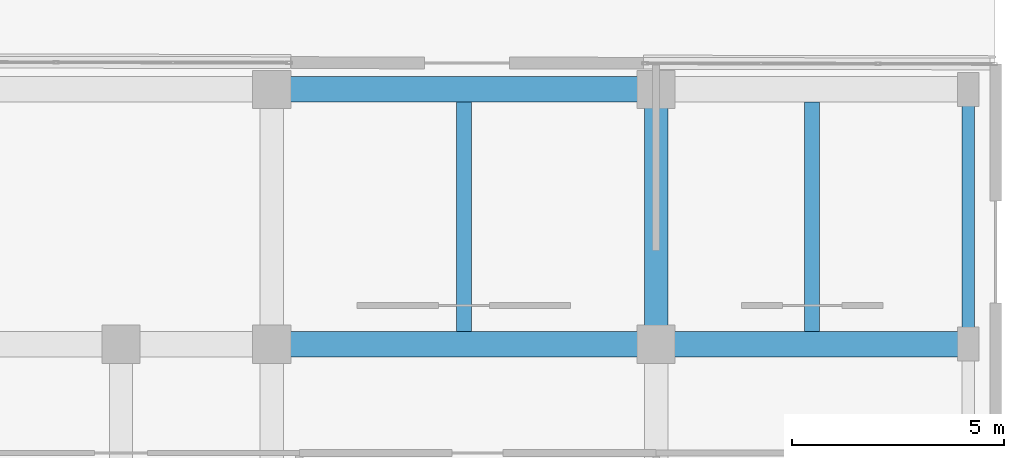
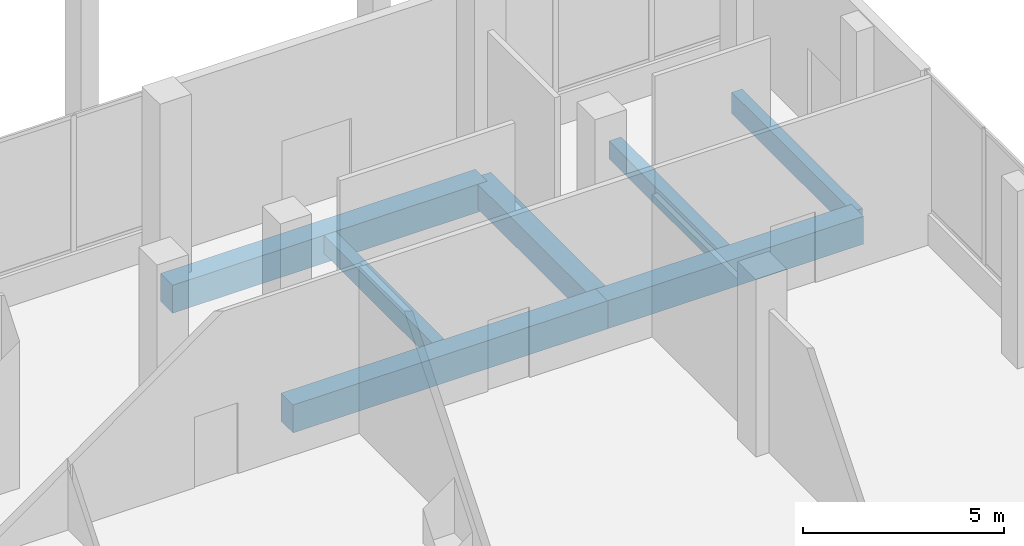
# One storey, part 117 of 158: 7 beams.
"""IFC4 building model written with IfcOpenShell, lengths in metres."""

from ifc_helpers import new_model, si_unit, direction, frame, origin, origin_2d, place, context, subcontext, project, spatial, rectangle, extrude, material, material_profile, profile_set, type_object, element, save


model = new_model("IFC4")

# Units and contexts
model_context = context("Model", 3, precision=1e-05, world=origin(), true_north=direction((0.0, 1.0)))
body_context = subcontext(model_context, "Body", "Model", "MODEL_VIEW")
ifc_project = project(units=[si_unit("LENGTHUNIT", "METRE"), si_unit("AREAUNIT", "SQUARE_METRE"), si_unit("VOLUMEUNIT", "CUBIC_METRE"), si_unit("PLANEANGLEUNIT", "RADIAN"), si_unit("MASSUNIT", "GRAM", prefix="KILO")], contexts=[model_context])

# Site, building, storey
site_placement = place(None, origin())
site = spatial("IfcSite", under=ifc_project, at=site_placement, CompositionType="ELEMENT")
building_placement = place(site_placement, origin())
building = spatial("IfcBuilding", under=site, at=building_placement, Name="Selatvlak General Hospital", CompositionType="ELEMENT")
storey_placement = place(building_placement, origin())
storey = spatial("IfcBuildingStorey", under=building, at=storey_placement, Name="L00", CompositionType="ELEMENT", Elevation=0.0)

# Beams
ifc_material = material(Name="Concrete C40/50", Category="concrete")
ifc_material_profile_1 = material_profile(ifc_material, rectangle(XDim=0.60009765625, YDim=0.85009765625, at=origin_2d()), Name="RC-BM 600x850")
ifc_profile_set_1 = profile_set([ifc_material_profile_1], Name="Concrete C40/50")
beam_type_1 = type_object("IfcBeamType", Name="BM-G01", PredefinedType="BEAM", material=ifc_profile_set_1)
beam_1_placement = place(storey_placement, frame((164.949951171875, 108.0, -0.77490234375), z_axis=(1.0, 0.0, 0.0), x_axis=(0.0, 1.0, 0.0)))
element("IfcBeam", 1, at=beam_1_placement, inside=storey, type_object=beam_type_1, Name="Beam BMR-L00-0130", PredefinedType="BEAM", context=body_context, shape_type="SweptSolid", body=[
    extrude(rectangle(XDim=0.60009765625, YDim=0.85009765625, at=origin_2d()), origin(), (0.0, 0.0, 1.0), 9.050048828125),
])
beam_2_placement = place(storey_placement, frame((174.0, 108.0, -0.77490234375), z_axis=(1.0, 0.0, 0.0), x_axis=(0.0, 1.0, 0.0)))
element("IfcBeam", 2, at=beam_2_placement, inside=storey, type_object=beam_type_1, Name="Beam BMR-L00-0131", PredefinedType="BEAM", context=body_context, shape_type="SweptSolid", body=[
    extrude(rectangle(XDim=0.60009765625, YDim=0.85009765625, at=origin_2d()), origin(), (0.0, 0.0, 1.0), 7.35009765625),
])
beam_3_placement = place(storey_placement, frame((164.949951171875, 114.0, -0.77490234375), z_axis=(1.0, 0.0, 0.0), x_axis=(0.0, 1.0, 0.0)))
element("IfcBeam", 3, at=beam_3_placement, inside=storey, type_object=beam_type_1, Name="Beam BMR-L00-0144", PredefinedType="BEAM", context=body_context, shape_type="SweptSolid", body=[
    extrude(rectangle(XDim=0.60009765625, YDim=0.85009765625, at=origin_2d()), origin(), (0.0, 0.0, 1.0), 9.050048828125),
])
ifc_material_profile_2 = material_profile(ifc_material, rectangle(XDim=0.550048828125, YDim=0.75, at=origin_2d()), Name="RC-BM 550x750")
ifc_profile_set_2 = profile_set([ifc_material_profile_2], Name="Concrete C40/50")
beam_type_2 = type_object("IfcBeamType", Name="BM-G02", PredefinedType="BEAM", material=ifc_profile_set_2)
beam_4_placement = place(storey_placement, frame((174.0, 108.0, -0.72509765625), z_axis=(0.0, 1.0, 0.0), x_axis=(-1.0, 0.0, 0.0)))
element("IfcBeam", 4, at=beam_4_placement, inside=storey, type_object=beam_type_2, Name="Beam BMR-L00-0301", PredefinedType="BEAM", context=body_context, shape_type="SweptSolid", body=[
    extrude(rectangle(XDim=0.550048828125, YDim=0.75, at=origin_2d()), origin(), (0.0, 0.0, 1.0), 6.0),
])
ifc_material_profile_3 = material_profile(ifc_material, rectangle(XDim=0.35009765625, YDim=0.550048828125, at=origin_2d()), Name="RC-BM 350x550")
ifc_profile_set_3 = profile_set([ifc_material_profile_3], Name="Concrete C40/50")
beam_type_3 = type_object("IfcBeamType", Name="BM-J01", PredefinedType="JOIST", material=ifc_profile_set_3)
for number, where, z_axis, x_axis, name in (
    (5, (169.47509765625, 108.300048828125, -0.625), (0.0, 1.0, 0.0), (-1.0, 0.0, 0.0), "Beam BMR-L00-0322"),
    (6, (177.675048828125, 108.300048828125, -0.625), (0.0, 1.0, 0.0), (-1.0, 0.0, 0.0), "Beam BMR-L00-0323"),
):
    element("IfcBeam", number, at=place(storey_placement, frame(where, z_axis=z_axis, x_axis=x_axis)), inside=storey, type_object=beam_type_3, Name=name, PredefinedType="JOIST", context=body_context, shape_type="SweptSolid", body=[
        extrude(rectangle(XDim=0.35009765625, YDim=0.550048828125, at=origin_2d()), origin(), (0.0, 0.0, 1.0), 5.39990234375),
    ])
ifc_material_profile_4 = material_profile(ifc_material, rectangle(XDim=0.300048828125, YDim=0.64990234375, at=origin_2d()), Name="RC-SP 300x650")
ifc_profile_set_4 = profile_set([ifc_material_profile_4], Name="Concrete C40/50")
beam_type_4 = type_object("IfcBeamType", Name="BM-SP1", PredefinedType="SPANDREL", material=ifc_profile_set_4)
beam_5_placement = place(storey_placement, frame((181.35009765625, 108.0, -0.675048828125), z_axis=(0.0, 1.0, 0.0), x_axis=(-1.0, 0.0, 0.0)))
element("IfcBeam", 7, at=beam_5_placement, inside=storey, type_object=beam_type_4, Name="Beam BMR-L00-0310", PredefinedType="SPANDREL", context=body_context, shape_type="SweptSolid", body=[
    extrude(rectangle(XDim=0.300048828125, YDim=0.64990234375, at=origin_2d()), origin(), (0.0, 0.0, 1.0), 6.0),
])

save(model, "model.ifc")
